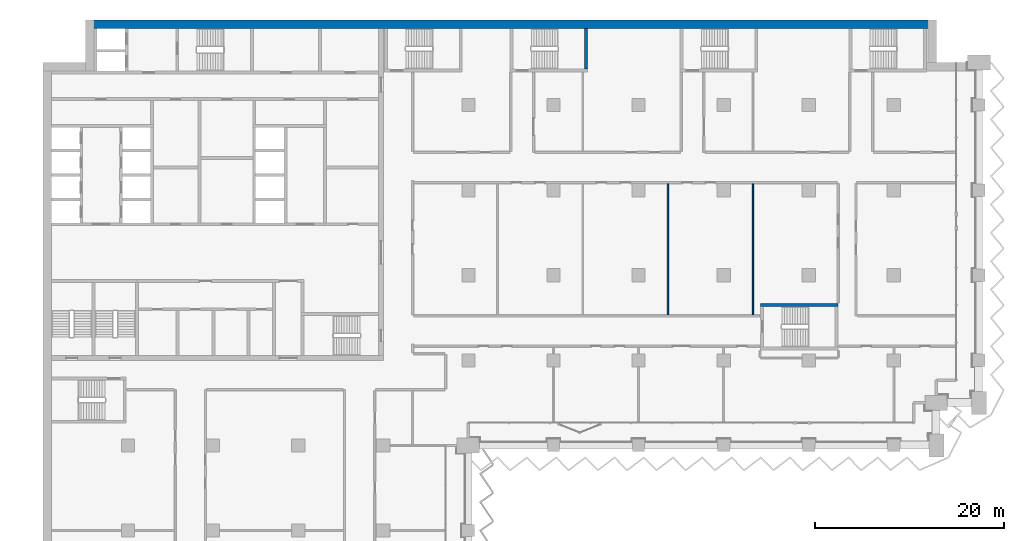
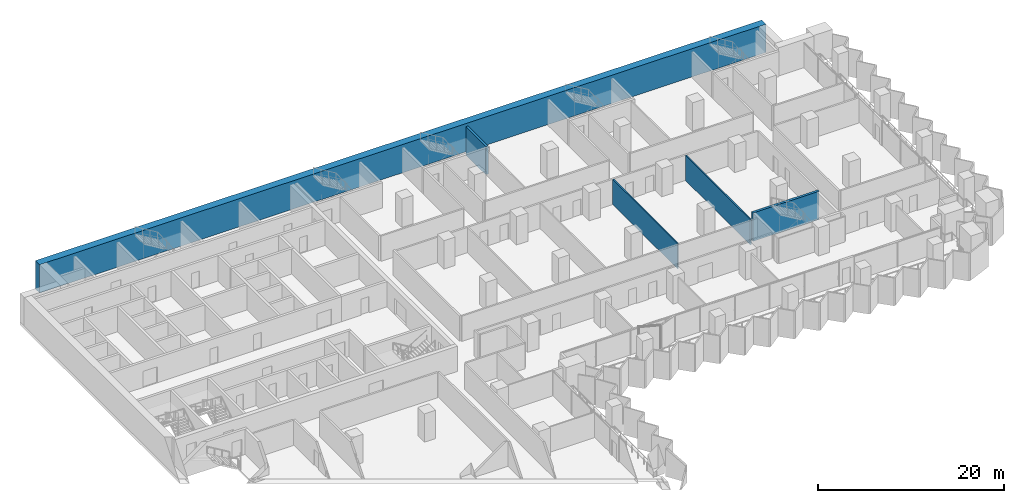
# One storey, part 17 of 28: 5 walls.
"""IFC4 building model written with IfcOpenShell, lengths in metres."""

from ifc_helpers import new_model, si_unit, direction, frame, frame_2d, origin, place, context, subcontext, project, spatial, rectangle, extrude, material, layer, layer_set, type_object, element, save


model = new_model("IFC4")

# Units and contexts
model_context = context("Model", 3, precision=1e-05, world=origin(), true_north=direction((0.0, 1.0)))
body_context = subcontext(model_context, "Body", "Model", "MODEL_VIEW")
ifc_project = project(units=[si_unit("LENGTHUNIT", "METRE"), si_unit("AREAUNIT", "SQUARE_METRE"), si_unit("VOLUMEUNIT", "CUBIC_METRE"), si_unit("PLANEANGLEUNIT", "RADIAN"), si_unit("MASSUNIT", "GRAM", prefix="KILO")], contexts=[model_context])

# Site, building, storey
site_placement = place(None, origin())
site = spatial("IfcSite", under=ifc_project, at=site_placement, CompositionType="ELEMENT")
building_placement = place(site_placement, origin())
building = spatial("IfcBuilding", under=site, at=building_placement, Name="Hunhe Ridgeline Campus", CompositionType="ELEMENT")
storey_placement = place(building_placement, frame((0.0, 0.0, 39.5)))
storey = spatial("IfcBuildingStorey", under=building, at=storey_placement, Name="L08", CompositionType="ELEMENT", Elevation=39.5)

# Walls
ifc_material_1 = material(Name="Gypsum board partition")
ifc_layer_1 = layer(ifc_material_1, 0.14990234375)
ifc_layer_set_1 = layer_set([ifc_layer_1], Name="Room partition 150 gypsum board on steel studs")
wall_type_1 = type_object("IfcWallType", Name="Room partition 150 gypsum board on steel studs", PredefinedType="PARTITIONING", material=ifc_layer_set_1)
for number, where, z_axis, x_axis, name in (
    (1, (66.10009765625, 81.699951171875, 0.0), (0.0, 0.0, 1.0), (0.0, -1.0, 0.0), "F-L08-wall-067"),
    (2, (75.10009765625, 81.699951171875, 0.0), (0.0, 0.0, 1.0), (0.0, -1.0, 0.0), "F-L08-wall-072"),
):
    element("IfcWall", number, at=place(storey_placement, frame(where, z_axis=z_axis, x_axis=x_axis)), inside=storey, type_object=wall_type_1, Name=name, PredefinedType="PARTITIONING", context=body_context, shape_type="SweptSolid", body=[
        extrude(rectangle(XDim=13.89990234375, YDim=0.14990234375, at=frame_2d((6.949951171875, 0.0))), origin(), (0.0, 0.0, 1.0), 3.300048828125),
    ])
ifc_material_2 = material(Name="Concrete C80", Category="concrete")
ifc_layer_2 = layer(ifc_material_2, 0.89990234375)
ifc_layer_set_2 = layer_set([ifc_layer_2], Name="Spine wall 900 Concrete C80")
wall_type_2 = type_object("IfcWallType", Name="Spine wall 900 Concrete C80", PredefinedType="SHEAR", material=ifc_layer_set_2)
wall_1_placement = place(storey_placement, frame((94.5, 98.550048828125, 0.0), z_axis=(0.0, 0.0, 1.0), x_axis=(-1.0, 0.0, 0.0)))
element("IfcWall", 3, at=wall_1_placement, inside=storey, type_object=wall_type_2, Name="Spine wall SW1-4 L08", PredefinedType="SHEAR", context=body_context, shape_type="SweptSolid", body=[
    extrude(rectangle(XDim=90.0, YDim=0.89990234375, at=frame_2d((45.0, 0.0))), origin(), (0.0, 0.0, 1.0), 3.699951171875),
])
ifc_layer_3 = layer(ifc_material_2, 0.300048828125)
ifc_layer_set_3 = layer_set([ifc_layer_3], Name="Stair wall 300 reinforced concrete C80")
wall_type_3 = type_object("IfcWallType", Name="Stair wall 300 reinforced concrete C80", PredefinedType="SOLIDWALL", material=ifc_layer_set_3)
wall_2_placement = place(storey_placement, frame((75.89990234375, 68.85009765625, -0.39990234375), z_axis=(0.0, 0.0, 1.0), x_axis=(1.0, 0.0, 0.0)))
element("IfcWall", 4, at=wall_2_placement, inside=storey, type_object=wall_type_3, Name="L08 core wall 11", PredefinedType="SOLIDWALL", context=body_context, shape_type="SweptSolid", body=[
    extrude(rectangle(XDim=8.2001953125, YDim=0.300048828125, at=frame_2d((4.10009765625, 0.0))), origin(), (0.0, 0.0, 1.0), 3.699951171875),
])
wall_3_placement = place(storey_placement, frame((57.449951171875, 93.800048828125, -0.39990234375), z_axis=(0.0, 0.0, 1.0), x_axis=(0.0, 1.0, 0.0)))
element("IfcWall", 5, at=wall_3_placement, inside=storey, type_object=wall_type_3, Name="L08 core wall 68", PredefinedType="SOLIDWALL", context=body_context, shape_type="SweptSolid", body=[
    extrude(rectangle(XDim=4.300048828125, YDim=0.300048828125, at=frame_2d((2.14990234375, 0.0))), origin(), (0.0, 0.0, 1.0), 3.699951171875),
])

save(model, "model.ifc")
